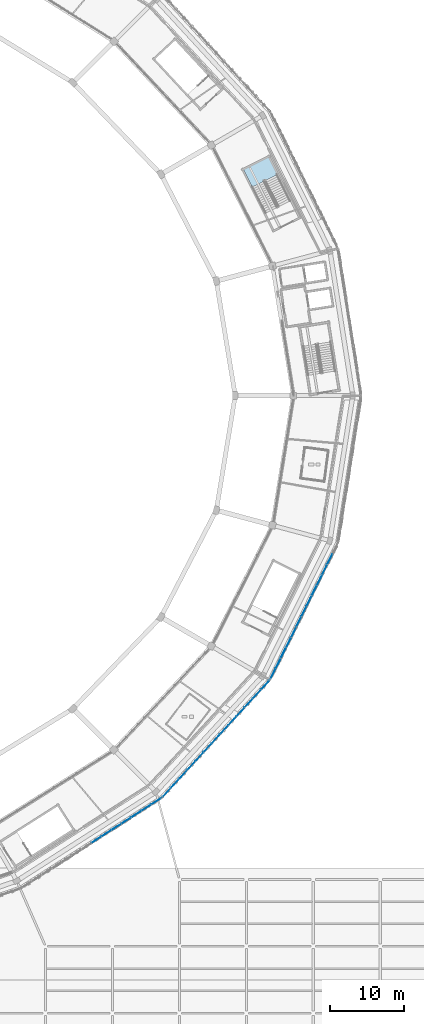
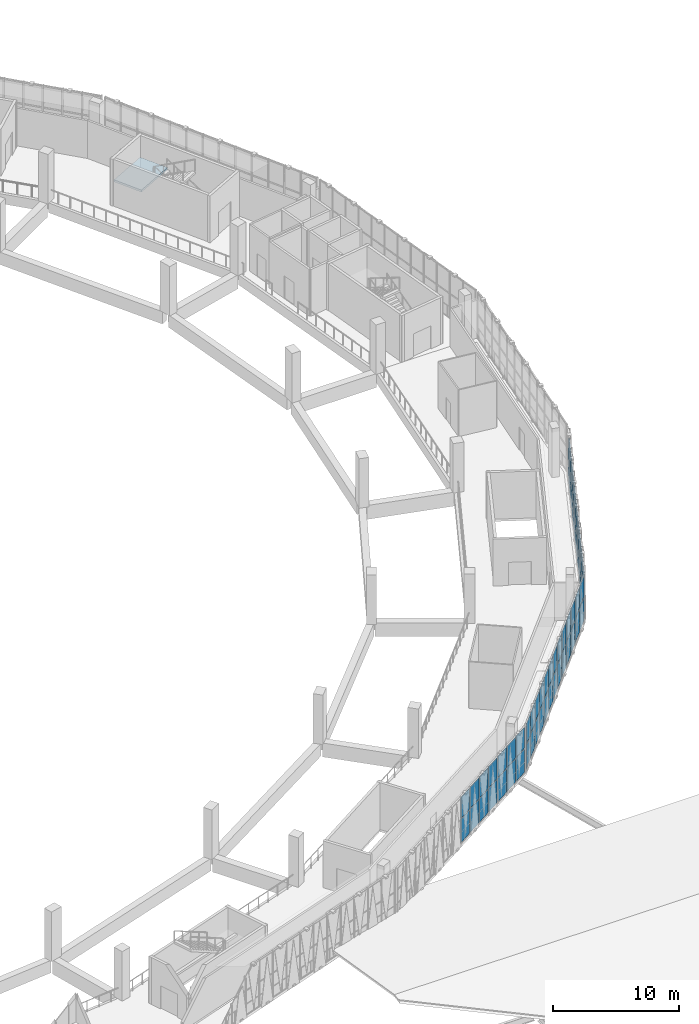
# One storey, part 57 of 108: 64 plates, 1 slab, 4 elements without a shape of their own.
"""IFC4 building model written with IfcOpenShell, lengths in metres."""

from ifc_helpers import new_model, si_unit, direction, frame, origin, origin_2d, place, context, subcontext, project, spatial, polyline, rectangle, outline, extrude, material, layer, layer_set, type_object, element, aggregate, save


model = new_model("IFC4")

# Units and contexts
model_context = context("Model", 3, precision=1e-05, world=origin(), true_north=direction((0.0, 1.0)))
body_context = subcontext(model_context, "Body", "Model", "MODEL_VIEW")
ifc_project = project(units=[si_unit("LENGTHUNIT", "METRE"), si_unit("AREAUNIT", "SQUARE_METRE"), si_unit("VOLUMEUNIT", "CUBIC_METRE"), si_unit("PLANEANGLEUNIT", "RADIAN"), si_unit("MASSUNIT", "GRAM", prefix="KILO")], contexts=[model_context])

# Site, building, storey
site_placement = place(None, origin())
site = spatial("IfcSite", under=ifc_project, at=site_placement, CompositionType="ELEMENT")
building_placement = place(site_placement, origin())
building = spatial("IfcBuilding", under=site, at=building_placement, Name="Zevraka Park Crest Stadium", CompositionType="ELEMENT")
storey_placement = place(building_placement, frame((0.0, 0.0, 19.800048828125)))
storey = spatial("IfcBuildingStorey", under=building, at=storey_placement, Name="L04", CompositionType="ELEMENT", Elevation=19.800048828125)

# Curtain wall, plates
ifc_material_1 = material(Name="Anodised architectural aluminium and laminated safety glass", Category="aluminium")
curtain_wall_type_1 = type_object("IfcCurtainWallType", Name="CW17", PredefinedType="NOTDEFINED", material=ifc_material_1)
curtain_wall_1_placement = place(storey_placement, origin())
curtain_wall_1 = element("IfcCurtainWall", 1, at=curtain_wall_1_placement, inside=storey, type_object=curtain_wall_type_1, Name="Unitised Ring Curtain Wall CW17 L04-22", PredefinedType="NOTDEFINED")
ifc_material_2 = material(Name="Solar-control laminated double glazing", Category="glass")
ifc_layer_1 = layer(ifc_material_2, 0.031982421875)
ifc_layer_set_1 = layer_set([ifc_layer_1], Name="Solar-control laminated double glazing")
plate_type_1 = type_object("IfcPlateType", Name="CP17", PredefinedType="CURTAIN_PANEL", material=ifc_layer_set_1)
plate_1_placement = place(storey_placement, frame((191.5849609375, 54.62548828125, 0.06494140625), z_axis=(0.0, 0.0, 1.0), x_axis=(0.443961067545, 0.896046076106, 0.0)))
plate_1 = element("IfcPlate", 2, at=plate_1_placement, type_object=plate_type_1, Name="CW17 panel 1.1", PredefinedType="CURTAIN_PANEL", context=body_context, shape_type="SweptSolid", body=[
    extrude(rectangle(XDim=1.46484375, YDim=0.031982421875, at=origin_2d()), origin(), (0.0, 0.0, 1.0), 2.302490234375),
])
plate_2_placement = place(storey_placement, frame((191.5849609375, 54.62548828125, 2.432373046875), z_axis=(0.0, 0.0, 1.0), x_axis=(0.443961067545, 0.896046076106, 0.0)))
plate_2 = element("IfcPlate", 3, at=plate_2_placement, type_object=plate_type_1, Name="CW17 panel 1.2", PredefinedType="CURTAIN_PANEL", context=body_context, shape_type="SweptSolid", body=[
    extrude(rectangle(XDim=1.46484375, YDim=0.031982421875, at=origin_2d()), origin(), (0.0, 0.0, 1.0), 2.04248046875),
])
plate_3_placement = place(storey_placement, frame((192.271484375, 56.010986328125, 0.06494140625), z_axis=(0.0, 0.0, 1.0), x_axis=(0.443961067545, 0.896046076106, 0.0)))
plate_3 = element("IfcPlate", 4, at=plate_3_placement, type_object=plate_type_1, Name="CW17 panel 2.1", PredefinedType="CURTAIN_PANEL", context=body_context, shape_type="SweptSolid", body=[
    extrude(rectangle(XDim=1.497314453125, YDim=0.031982421875, at=origin_2d()), origin(), (0.0, 0.0, 1.0), 2.302490234375),
])
plate_4_placement = place(storey_placement, frame((192.271484375, 56.010986328125, 2.432373046875), z_axis=(0.0, 0.0, 1.0), x_axis=(0.443961067545, 0.896046076106, 0.0)))
plate_4 = element("IfcPlate", 5, at=plate_4_placement, type_object=plate_type_1, Name="CW17 panel 2.2", PredefinedType="CURTAIN_PANEL", context=body_context, shape_type="SweptSolid", body=[
    extrude(rectangle(XDim=1.497314453125, YDim=0.031982421875, at=origin_2d()), origin(), (0.0, 0.0, 1.0), 2.04248046875),
])
plate_5_placement = place(storey_placement, frame((192.965087890625, 57.410888671875, 0.06494140625), z_axis=(0.0, 0.0, 1.0), x_axis=(0.443961067545, 0.896046076106, 0.0)))
plate_5 = element("IfcPlate", 6, at=plate_5_placement, type_object=plate_type_1, Name="CW17 panel 3.1", PredefinedType="CURTAIN_PANEL", context=body_context, shape_type="SweptSolid", body=[
    extrude(rectangle(XDim=1.497314453125, YDim=0.031982421875, at=origin_2d()), origin(), (0.0, 0.0, 1.0), 2.302490234375),
])
plate_6_placement = place(storey_placement, frame((192.965087890625, 57.410888671875, 2.432373046875), z_axis=(0.0, 0.0, 1.0), x_axis=(0.443961067545, 0.896046076106, 0.0)))
plate_6 = element("IfcPlate", 7, at=plate_6_placement, type_object=plate_type_1, Name="CW17 panel 3.2", PredefinedType="CURTAIN_PANEL", context=body_context, shape_type="SweptSolid", body=[
    extrude(rectangle(XDim=1.497314453125, YDim=0.031982421875, at=origin_2d()), origin(), (0.0, 0.0, 1.0), 2.04248046875),
])
plate_7_placement = place(storey_placement, frame((193.65869140625, 58.810791015625, 0.06494140625), z_axis=(0.0, 0.0, 1.0), x_axis=(0.443961067545, 0.896046076106, 0.0)))
plate_7 = element("IfcPlate", 8, at=plate_7_placement, type_object=plate_type_1, Name="CW17 panel 4.1", PredefinedType="CURTAIN_PANEL", context=body_context, shape_type="SweptSolid", body=[
    extrude(rectangle(XDim=1.497314453125, YDim=0.031982421875, at=origin_2d()), origin(), (0.0, 0.0, 1.0), 2.302490234375),
])
plate_8_placement = place(storey_placement, frame((193.65869140625, 58.810791015625, 2.432373046875), z_axis=(0.0, 0.0, 1.0), x_axis=(0.443961067545, 0.896046076106, 0.0)))
plate_8 = element("IfcPlate", 9, at=plate_8_placement, type_object=plate_type_1, Name="CW17 panel 4.2", PredefinedType="CURTAIN_PANEL", context=body_context, shape_type="SweptSolid", body=[
    extrude(rectangle(XDim=1.497314453125, YDim=0.031982421875, at=origin_2d()), origin(), (0.0, 0.0, 1.0), 2.04248046875),
])
plate_9_placement = place(storey_placement, frame((194.352294921875, 60.210693359375, 0.06494140625), z_axis=(0.0, 0.0, 1.0), x_axis=(0.443961067545, 0.896046076106, 0.0)))
plate_9 = element("IfcPlate", 10, at=plate_9_placement, type_object=plate_type_1, Name="CW17 panel 5.1", PredefinedType="CURTAIN_PANEL", context=body_context, shape_type="SweptSolid", body=[
    extrude(rectangle(XDim=1.497314453125, YDim=0.031982421875, at=origin_2d()), origin(), (0.0, 0.0, 1.0), 2.302490234375),
])
plate_10_placement = place(storey_placement, frame((194.352294921875, 60.210693359375, 2.432373046875), z_axis=(0.0, 0.0, 1.0), x_axis=(0.443961067545, 0.896046076106, 0.0)))
plate_10 = element("IfcPlate", 11, at=plate_10_placement, type_object=plate_type_1, Name="CW17 panel 5.2", PredefinedType="CURTAIN_PANEL", context=body_context, shape_type="SweptSolid", body=[
    extrude(rectangle(XDim=1.497314453125, YDim=0.031982421875, at=origin_2d()), origin(), (0.0, 0.0, 1.0), 2.04248046875),
])
plate_11_placement = place(storey_placement, frame((195.0458984375, 61.610595703125, 0.06494140625), z_axis=(0.0, 0.0, 1.0), x_axis=(0.443961067545, 0.896046076106, 0.0)))
plate_11 = element("IfcPlate", 12, at=plate_11_placement, type_object=plate_type_1, Name="CW17 panel 6.1", PredefinedType="CURTAIN_PANEL", context=body_context, shape_type="SweptSolid", body=[
    extrude(rectangle(XDim=1.497314453125, YDim=0.031982421875, at=origin_2d()), origin(), (0.0, 0.0, 1.0), 2.302490234375),
])
plate_12_placement = place(storey_placement, frame((195.0458984375, 61.610595703125, 2.432373046875), z_axis=(0.0, 0.0, 1.0), x_axis=(0.443961067545, 0.896046076106, 0.0)))
plate_12 = element("IfcPlate", 13, at=plate_12_placement, type_object=plate_type_1, Name="CW17 panel 6.2", PredefinedType="CURTAIN_PANEL", context=body_context, shape_type="SweptSolid", body=[
    extrude(rectangle(XDim=1.497314453125, YDim=0.031982421875, at=origin_2d()), origin(), (0.0, 0.0, 1.0), 2.04248046875),
])
plate_13_placement = place(storey_placement, frame((195.739501953125, 63.010498046875, 0.06494140625), z_axis=(0.0, 0.0, 1.0), x_axis=(0.443961067545, 0.896046076106, 0.0)))
plate_13 = element("IfcPlate", 14, at=plate_13_placement, type_object=plate_type_1, Name="CW17 panel 7.1", PredefinedType="CURTAIN_PANEL", context=body_context, shape_type="SweptSolid", body=[
    extrude(rectangle(XDim=1.497314453125, YDim=0.031982421875, at=origin_2d()), origin(), (0.0, 0.0, 1.0), 2.302490234375),
])
plate_14_placement = place(storey_placement, frame((195.739501953125, 63.010498046875, 2.432373046875), z_axis=(0.0, 0.0, 1.0), x_axis=(0.443961067545, 0.896046076106, 0.0)))
plate_14 = element("IfcPlate", 15, at=plate_14_placement, type_object=plate_type_1, Name="CW17 panel 7.2", PredefinedType="CURTAIN_PANEL", context=body_context, shape_type="SweptSolid", body=[
    extrude(rectangle(XDim=1.497314453125, YDim=0.031982421875, at=origin_2d()), origin(), (0.0, 0.0, 1.0), 2.04248046875),
])
plate_15_placement = place(storey_placement, frame((196.43310546875, 64.410400390625, 0.06494140625), z_axis=(0.0, 0.0, 1.0), x_axis=(0.443961067545, 0.896046076106, 0.0)))
plate_15 = element("IfcPlate", 16, at=plate_15_placement, type_object=plate_type_1, Name="CW17 panel 8.1", PredefinedType="CURTAIN_PANEL", context=body_context, shape_type="SweptSolid", body=[
    extrude(rectangle(XDim=1.497314453125, YDim=0.031982421875, at=origin_2d()), origin(), (0.0, 0.0, 1.0), 2.302490234375),
])
plate_16_placement = place(storey_placement, frame((196.43310546875, 64.410400390625, 2.432373046875), z_axis=(0.0, 0.0, 1.0), x_axis=(0.443961067545, 0.896046076106, 0.0)))
plate_16 = element("IfcPlate", 17, at=plate_16_placement, type_object=plate_type_1, Name="CW17 panel 8.2", PredefinedType="CURTAIN_PANEL", context=body_context, shape_type="SweptSolid", body=[
    extrude(rectangle(XDim=1.497314453125, YDim=0.031982421875, at=origin_2d()), origin(), (0.0, 0.0, 1.0), 2.04248046875),
])
plate_17_placement = place(storey_placement, frame((197.126708984375, 65.810302734375, 0.06494140625), z_axis=(0.0, 0.0, 1.0), x_axis=(0.443961067545, 0.896046076106, 0.0)))
plate_17 = element("IfcPlate", 18, at=plate_17_placement, type_object=plate_type_1, Name="CW17 panel 9.1", PredefinedType="CURTAIN_PANEL", context=body_context, shape_type="SweptSolid", body=[
    extrude(rectangle(XDim=1.497314453125, YDim=0.031982421875, at=origin_2d()), origin(), (0.0, 0.0, 1.0), 2.302490234375),
])
plate_18_placement = place(storey_placement, frame((197.126708984375, 65.810302734375, 2.432373046875), z_axis=(0.0, 0.0, 1.0), x_axis=(0.443961067545, 0.896046076106, 0.0)))
plate_18 = element("IfcPlate", 19, at=plate_18_placement, type_object=plate_type_1, Name="CW17 panel 9.2", PredefinedType="CURTAIN_PANEL", context=body_context, shape_type="SweptSolid", body=[
    extrude(rectangle(XDim=1.497314453125, YDim=0.031982421875, at=origin_2d()), origin(), (0.0, 0.0, 1.0), 2.04248046875),
])
plate_19_placement = place(storey_placement, frame((197.8203125, 67.210205078125, 0.06494140625), z_axis=(0.0, 0.0, 1.0), x_axis=(0.443961067545, 0.896046076106, 0.0)))
plate_19 = element("IfcPlate", 20, at=plate_19_placement, type_object=plate_type_1, Name="CW17 panel 10.1", PredefinedType="CURTAIN_PANEL", context=body_context, shape_type="SweptSolid", body=[
    extrude(rectangle(XDim=1.497314453125, YDim=0.031982421875, at=origin_2d()), origin(), (0.0, 0.0, 1.0), 2.302490234375),
])
plate_20_placement = place(storey_placement, frame((197.8203125, 67.210205078125, 2.432373046875), z_axis=(0.0, 0.0, 1.0), x_axis=(0.443961067545, 0.896046076106, 0.0)))
plate_20 = element("IfcPlate", 21, at=plate_20_placement, type_object=plate_type_1, Name="CW17 panel 10.2", PredefinedType="CURTAIN_PANEL", context=body_context, shape_type="SweptSolid", body=[
    extrude(rectangle(XDim=1.497314453125, YDim=0.031982421875, at=origin_2d()), origin(), (0.0, 0.0, 1.0), 2.04248046875),
])
plate_21_placement = place(storey_placement, frame((198.513916015625, 68.610107421875, 0.06494140625), z_axis=(0.0, 0.0, 1.0), x_axis=(0.443961067545, 0.896046076106, 0.0)))
plate_21 = element("IfcPlate", 22, at=plate_21_placement, type_object=plate_type_1, Name="CW17 panel 11.1", PredefinedType="CURTAIN_PANEL", context=body_context, shape_type="SweptSolid", body=[
    extrude(rectangle(XDim=1.497314453125, YDim=0.031982421875, at=origin_2d()), origin(), (0.0, 0.0, 1.0), 2.302490234375),
])
plate_22_placement = place(storey_placement, frame((198.513916015625, 68.610107421875, 2.432373046875), z_axis=(0.0, 0.0, 1.0), x_axis=(0.443961067545, 0.896046076106, 0.0)))
plate_22 = element("IfcPlate", 23, at=plate_22_placement, type_object=plate_type_1, Name="CW17 panel 11.2", PredefinedType="CURTAIN_PANEL", context=body_context, shape_type="SweptSolid", body=[
    extrude(rectangle(XDim=1.497314453125, YDim=0.031982421875, at=origin_2d()), origin(), (0.0, 0.0, 1.0), 2.04248046875),
])
plate_23_placement = place(storey_placement, frame((199.20751953125, 70.010009765625, 0.06494140625), z_axis=(0.0, 0.0, 1.0), x_axis=(0.443961067545, 0.896046076106, 0.0)))
plate_23 = element("IfcPlate", 24, at=plate_23_placement, type_object=plate_type_1, Name="CW17 panel 12.1", PredefinedType="CURTAIN_PANEL", context=body_context, shape_type="SweptSolid", body=[
    extrude(rectangle(XDim=1.497314453125, YDim=0.031982421875, at=origin_2d()), origin(), (0.0, 0.0, 1.0), 2.302490234375),
])
plate_24_placement = place(storey_placement, frame((199.20751953125, 70.010009765625, 2.432373046875), z_axis=(0.0, 0.0, 1.0), x_axis=(0.443961067545, 0.896046076106, 0.0)))
plate_24 = element("IfcPlate", 25, at=plate_24_placement, type_object=plate_type_1, Name="CW17 panel 12.2", PredefinedType="CURTAIN_PANEL", context=body_context, shape_type="SweptSolid", body=[
    extrude(rectangle(XDim=1.497314453125, YDim=0.031982421875, at=origin_2d()), origin(), (0.0, 0.0, 1.0), 2.04248046875),
])
aggregate(curtain_wall_1, [plate_1, plate_2, plate_3, plate_4, plate_5, plate_6, plate_7, plate_8, plate_9, plate_10, plate_11, plate_12, plate_13, plate_14, plate_15, plate_16, plate_17, plate_18, plate_19, plate_20, plate_21, plate_22, plate_23, plate_24])

ifc_material_3 = material(Name="Anodised architectural aluminium and laminated safety glass", Category="aluminium")
curtain_wall_type_2 = type_object("IfcCurtainWallType", Name="CW18", PredefinedType="NOTDEFINED", material=ifc_material_3)
curtain_wall_2_placement = place(storey_placement, origin())
curtain_wall_2 = element("IfcCurtainWall", 26, at=curtain_wall_2_placement, inside=storey, type_object=curtain_wall_type_2, Name="Unitised Ring Curtain Wall CW18 L04-20", PredefinedType="NOTDEFINED")
ifc_material_4 = material(Name="Solar-control laminated double glazing", Category="glass")
ifc_layer_2 = layer(ifc_material_4, 0.031982421875)
ifc_layer_set_2 = layer_set([ifc_layer_2], Name="Solar-control laminated double glazing")
plate_type_2 = type_object("IfcPlateType", Name="CP18", PredefinedType="CURTAIN_PANEL", material=ifc_layer_set_2)
plate_25_placement = place(storey_placement, frame((167.850341796875, 32.32373046875, 0.070068359375), z_axis=(0.0, 0.0, 1.0), x_axis=(0.841677883781, 0.539979944029, 0.0)))
plate_25 = element("IfcPlate", 27, at=plate_25_placement, type_object=plate_type_2, Name="CW18 panel 8.1", PredefinedType="CURTAIN_PANEL", context=body_context, shape_type="SweptSolid", body=[
    extrude(rectangle(XDim=1.51806640625, YDim=0.031982421875, at=origin_2d()), origin(), (0.0, 0.0, 1.0), 2.294921875),
])
plate_26_placement = place(storey_placement, frame((167.850341796875, 32.32373046875, 2.43505859375), z_axis=(0.0, 0.0, 1.0), x_axis=(0.841677883781, 0.539979944029, 0.0)))
plate_26 = element("IfcPlate", 28, at=plate_26_placement, type_object=plate_type_2, Name="CW18 panel 8.2", PredefinedType="CURTAIN_PANEL", context=body_context, shape_type="SweptSolid", body=[
    extrude(rectangle(XDim=1.51806640625, YDim=0.031982421875, at=origin_2d()), origin(), (0.0, 0.0, 1.0), 2.034912109375),
])
plate_27_placement = place(storey_placement, frame((169.18701171875, 33.181396484375, 0.070068359375), z_axis=(0.0, 0.0, 1.0), x_axis=(0.841677883781, 0.539979944029, 0.0)))
plate_27 = element("IfcPlate", 29, at=plate_27_placement, type_object=plate_type_2, Name="CW18 panel 9.1", PredefinedType="CURTAIN_PANEL", context=body_context, shape_type="SweptSolid", body=[
    extrude(rectangle(XDim=1.51806640625, YDim=0.031982421875, at=origin_2d()), origin(), (0.0, 0.0, 1.0), 2.294921875),
])
plate_28_placement = place(storey_placement, frame((169.18701171875, 33.181396484375, 2.43505859375), z_axis=(0.0, 0.0, 1.0), x_axis=(0.841677883781, 0.539979944029, 0.0)))
plate_28 = element("IfcPlate", 30, at=plate_28_placement, type_object=plate_type_2, Name="CW18 panel 9.2", PredefinedType="CURTAIN_PANEL", context=body_context, shape_type="SweptSolid", body=[
    extrude(rectangle(XDim=1.51806640625, YDim=0.031982421875, at=origin_2d()), origin(), (0.0, 0.0, 1.0), 2.034912109375),
])
plate_29_placement = place(storey_placement, frame((170.523681640625, 34.038818359375, 0.070068359375), z_axis=(0.0, 0.0, 1.0), x_axis=(0.841677883781, 0.539979944029, 0.0)))
plate_29 = element("IfcPlate", 31, at=plate_29_placement, type_object=plate_type_2, Name="CW18 panel 10.1", PredefinedType="CURTAIN_PANEL", context=body_context, shape_type="SweptSolid", body=[
    extrude(rectangle(XDim=1.51806640625, YDim=0.031982421875, at=origin_2d()), origin(), (0.0, 0.0, 1.0), 2.294921875),
])
plate_30_placement = place(storey_placement, frame((170.523681640625, 34.038818359375, 2.43505859375), z_axis=(0.0, 0.0, 1.0), x_axis=(0.841677883781, 0.539979944029, 0.0)))
plate_30 = element("IfcPlate", 32, at=plate_30_placement, type_object=plate_type_2, Name="CW18 panel 10.2", PredefinedType="CURTAIN_PANEL", context=body_context, shape_type="SweptSolid", body=[
    extrude(rectangle(XDim=1.51806640625, YDim=0.031982421875, at=origin_2d()), origin(), (0.0, 0.0, 1.0), 2.034912109375),
])
plate_31_placement = place(storey_placement, frame((171.860595703125, 34.896484375, 0.070068359375), z_axis=(0.0, 0.0, 1.0), x_axis=(0.841677883781, 0.539979944029, 0.0)))
plate_31 = element("IfcPlate", 33, at=plate_31_placement, type_object=plate_type_2, Name="CW18 panel 11.1", PredefinedType="CURTAIN_PANEL", context=body_context, shape_type="SweptSolid", body=[
    extrude(rectangle(XDim=1.51806640625, YDim=0.031982421875, at=origin_2d()), origin(), (0.0, 0.0, 1.0), 2.294921875),
])
plate_32_placement = place(storey_placement, frame((171.860595703125, 34.896484375, 2.43505859375), z_axis=(0.0, 0.0, 1.0), x_axis=(0.841677883781, 0.539979944029, 0.0)))
plate_32 = element("IfcPlate", 34, at=plate_32_placement, type_object=plate_type_2, Name="CW18 panel 11.2", PredefinedType="CURTAIN_PANEL", context=body_context, shape_type="SweptSolid", body=[
    extrude(rectangle(XDim=1.51806640625, YDim=0.031982421875, at=origin_2d()), origin(), (0.0, 0.0, 1.0), 2.034912109375),
])
plate_33_placement = place(storey_placement, frame((173.197265625, 35.754150390625, 0.070068359375), z_axis=(0.0, 0.0, 1.0), x_axis=(0.841677883781, 0.539979944029, 0.0)))
plate_33 = element("IfcPlate", 35, at=plate_33_placement, type_object=plate_type_2, Name="CW18 panel 12.1", PredefinedType="CURTAIN_PANEL", context=body_context, shape_type="SweptSolid", body=[
    extrude(rectangle(XDim=1.51806640625, YDim=0.031982421875, at=origin_2d()), origin(), (0.0, 0.0, 1.0), 2.294921875),
])
plate_34_placement = place(storey_placement, frame((173.197265625, 35.754150390625, 2.43505859375), z_axis=(0.0, 0.0, 1.0), x_axis=(0.841677883781, 0.539979944029, 0.0)))
plate_34 = element("IfcPlate", 36, at=plate_34_placement, type_object=plate_type_2, Name="CW18 panel 12.2", PredefinedType="CURTAIN_PANEL", context=body_context, shape_type="SweptSolid", body=[
    extrude(rectangle(XDim=1.51806640625, YDim=0.031982421875, at=origin_2d()), origin(), (0.0, 0.0, 1.0), 2.034912109375),
])
plate_35_placement = place(storey_placement, frame((174.533935546875, 36.611572265625, 0.070068359375), z_axis=(0.0, 0.0, 1.0), x_axis=(0.841677883781, 0.539979944029, 0.0)))
plate_35 = element("IfcPlate", 37, at=plate_35_placement, type_object=plate_type_2, Name="CW18 panel 13.1", PredefinedType="CURTAIN_PANEL", context=body_context, shape_type="SweptSolid", body=[
    extrude(rectangle(XDim=1.51806640625, YDim=0.031982421875, at=origin_2d()), origin(), (0.0, 0.0, 1.0), 2.294921875),
])
plate_36_placement = place(storey_placement, frame((174.533935546875, 36.611572265625, 2.43505859375), z_axis=(0.0, 0.0, 1.0), x_axis=(0.841677883781, 0.539979944029, 0.0)))
plate_36 = element("IfcPlate", 38, at=plate_36_placement, type_object=plate_type_2, Name="CW18 panel 13.2", PredefinedType="CURTAIN_PANEL", context=body_context, shape_type="SweptSolid", body=[
    extrude(rectangle(XDim=1.51806640625, YDim=0.031982421875, at=origin_2d()), origin(), (0.0, 0.0, 1.0), 2.034912109375),
])
plate_37_placement = place(storey_placement, frame((175.85595703125, 37.459716796875, 0.070068359375), z_axis=(0.0, 0.0, 1.0), x_axis=(0.841677883781, 0.539979944029, 0.0)))
plate_37 = element("IfcPlate", 39, at=plate_37_placement, type_object=plate_type_2, Name="CW18 panel 14.1", PredefinedType="CURTAIN_PANEL", context=body_context, shape_type="SweptSolid", body=[
    extrude(rectangle(XDim=1.483154296875, YDim=0.031982421875, at=origin_2d()), origin(), (0.0, 0.0, 1.0), 2.294921875),
])
plate_38_placement = place(storey_placement, frame((175.85595703125, 37.459716796875, 2.43505859375), z_axis=(0.0, 0.0, 1.0), x_axis=(0.841677883781, 0.539979944029, 0.0)))
plate_38 = element("IfcPlate", 40, at=plate_38_placement, type_object=plate_type_2, Name="CW18 panel 14.2", PredefinedType="CURTAIN_PANEL", context=body_context, shape_type="SweptSolid", body=[
    extrude(rectangle(XDim=1.483154296875, YDim=0.031982421875, at=origin_2d()), origin(), (0.0, 0.0, 1.0), 2.034912109375),
])
aggregate(curtain_wall_2, [plate_25, plate_26, plate_27, plate_28, plate_29, plate_30, plate_31, plate_32, plate_33, plate_34, plate_35, plate_36, plate_37, plate_38])

curtain_wall_3_placement = place(storey_placement, origin())
curtain_wall_3 = element("IfcCurtainWall", 41, at=curtain_wall_3_placement, inside=storey, type_object=curtain_wall_type_2, Name="Unitised Ring Curtain Wall CW18 L04-21", PredefinedType="NOTDEFINED")
plate_39_placement = place(storey_placement, frame((177.2998046875, 38.67724609375, 0.070068359375), z_axis=(0.0, 0.0, 1.0), x_axis=(0.676138417355, 0.736774619932, 0.0)))
plate_39 = element("IfcPlate", 42, at=plate_39_placement, type_object=plate_type_2, Name="CW18 panel 1.1", PredefinedType="CURTAIN_PANEL", context=body_context, shape_type="SweptSolid", body=[
    extrude(rectangle(XDim=1.527587890625, YDim=0.031982421875, at=origin_2d()), origin(), (0.0, 0.0, 1.0), 2.294921875),
])
plate_40_placement = place(storey_placement, frame((177.2998046875, 38.67724609375, 2.43505859375), z_axis=(0.0, 0.0, 1.0), x_axis=(0.676138417355, 0.736774619932, 0.0)))
plate_40 = element("IfcPlate", 43, at=plate_40_placement, type_object=plate_type_2, Name="CW18 panel 1.2", PredefinedType="CURTAIN_PANEL", context=body_context, shape_type="SweptSolid", body=[
    extrude(rectangle(XDim=1.527587890625, YDim=0.031982421875, at=origin_2d()), origin(), (0.0, 0.0, 1.0), 2.034912109375),
])
plate_41_placement = place(storey_placement, frame((178.391845703125, 39.867431640625, 0.070068359375), z_axis=(0.0, 0.0, 1.0), x_axis=(0.676138417355, 0.736774619932, 0.0)))
plate_41 = element("IfcPlate", 44, at=plate_41_placement, type_object=plate_type_2, Name="CW18 panel 2.1", PredefinedType="CURTAIN_PANEL", context=body_context, shape_type="SweptSolid", body=[
    extrude(rectangle(XDim=1.562744140625, YDim=0.031982421875, at=origin_2d()), origin(), (0.0, 0.0, 1.0), 2.294921875),
])
plate_42_placement = place(storey_placement, frame((178.391845703125, 39.867431640625, 2.43505859375), z_axis=(0.0, 0.0, 1.0), x_axis=(0.676138417355, 0.736774619932, 0.0)))
plate_42 = element("IfcPlate", 45, at=plate_42_placement, type_object=plate_type_2, Name="CW18 panel 2.2", PredefinedType="CURTAIN_PANEL", context=body_context, shape_type="SweptSolid", body=[
    extrude(rectangle(XDim=1.562744140625, YDim=0.031982421875, at=origin_2d()), origin(), (0.0, 0.0, 1.0), 2.034912109375),
])
plate_43_placement = place(storey_placement, frame((179.495849609375, 41.0703125, 0.070068359375), z_axis=(0.0, 0.0, 1.0), x_axis=(0.676138417355, 0.736774619932, 0.0)))
plate_43 = element("IfcPlate", 46, at=plate_43_placement, type_object=plate_type_2, Name="CW18 panel 3.1", PredefinedType="CURTAIN_PANEL", context=body_context, shape_type="SweptSolid", body=[
    extrude(rectangle(XDim=1.562744140625, YDim=0.031982421875, at=origin_2d()), origin(), (0.0, 0.0, 1.0), 2.294921875),
])
plate_44_placement = place(storey_placement, frame((179.495849609375, 41.0703125, 2.43505859375), z_axis=(0.0, 0.0, 1.0), x_axis=(0.676138417355, 0.736774619932, 0.0)))
plate_44 = element("IfcPlate", 47, at=plate_44_placement, type_object=plate_type_2, Name="CW18 panel 3.2", PredefinedType="CURTAIN_PANEL", context=body_context, shape_type="SweptSolid", body=[
    extrude(rectangle(XDim=1.562744140625, YDim=0.031982421875, at=origin_2d()), origin(), (0.0, 0.0, 1.0), 2.034912109375),
])
plate_45_placement = place(storey_placement, frame((180.599609375, 42.273193359375, 0.070068359375), z_axis=(0.0, 0.0, 1.0), x_axis=(0.676138417355, 0.736774619932, 0.0)))
plate_45 = element("IfcPlate", 48, at=plate_45_placement, type_object=plate_type_2, Name="CW18 panel 4.1", PredefinedType="CURTAIN_PANEL", context=body_context, shape_type="SweptSolid", body=[
    extrude(rectangle(XDim=1.562744140625, YDim=0.031982421875, at=origin_2d()), origin(), (0.0, 0.0, 1.0), 2.294921875),
])
plate_46_placement = place(storey_placement, frame((180.599609375, 42.273193359375, 2.43505859375), z_axis=(0.0, 0.0, 1.0), x_axis=(0.676138417355, 0.736774619932, 0.0)))
plate_46 = element("IfcPlate", 49, at=plate_46_placement, type_object=plate_type_2, Name="CW18 panel 4.2", PredefinedType="CURTAIN_PANEL", context=body_context, shape_type="SweptSolid", body=[
    extrude(rectangle(XDim=1.562744140625, YDim=0.031982421875, at=origin_2d()), origin(), (0.0, 0.0, 1.0), 2.034912109375),
])
plate_47_placement = place(storey_placement, frame((181.70361328125, 43.47607421875, 0.070068359375), z_axis=(0.0, 0.0, 1.0), x_axis=(0.676138417355, 0.736774619932, 0.0)))
plate_47 = element("IfcPlate", 50, at=plate_47_placement, type_object=plate_type_2, Name="CW18 panel 5.1", PredefinedType="CURTAIN_PANEL", context=body_context, shape_type="SweptSolid", body=[
    extrude(rectangle(XDim=1.562744140625, YDim=0.031982421875, at=origin_2d()), origin(), (0.0, 0.0, 1.0), 2.294921875),
])
plate_48_placement = place(storey_placement, frame((181.70361328125, 43.47607421875, 2.43505859375), z_axis=(0.0, 0.0, 1.0), x_axis=(0.676138417355, 0.736774619932, 0.0)))
plate_48 = element("IfcPlate", 51, at=plate_48_placement, type_object=plate_type_2, Name="CW18 panel 5.2", PredefinedType="CURTAIN_PANEL", context=body_context, shape_type="SweptSolid", body=[
    extrude(rectangle(XDim=1.562744140625, YDim=0.031982421875, at=origin_2d()), origin(), (0.0, 0.0, 1.0), 2.034912109375),
])
plate_49_placement = place(storey_placement, frame((182.8076171875, 44.678955078125, 0.070068359375), z_axis=(0.0, 0.0, 1.0), x_axis=(0.676138417355, 0.736774619932, 0.0)))
plate_49 = element("IfcPlate", 52, at=plate_49_placement, type_object=plate_type_2, Name="CW18 panel 6.1", PredefinedType="CURTAIN_PANEL", context=body_context, shape_type="SweptSolid", body=[
    extrude(rectangle(XDim=1.562744140625, YDim=0.031982421875, at=origin_2d()), origin(), (0.0, 0.0, 1.0), 2.294921875),
])
plate_50_placement = place(storey_placement, frame((182.8076171875, 44.678955078125, 2.43505859375), z_axis=(0.0, 0.0, 1.0), x_axis=(0.676138417355, 0.736774619932, 0.0)))
plate_50 = element("IfcPlate", 53, at=plate_50_placement, type_object=plate_type_2, Name="CW18 panel 6.2", PredefinedType="CURTAIN_PANEL", context=body_context, shape_type="SweptSolid", body=[
    extrude(rectangle(XDim=1.562744140625, YDim=0.031982421875, at=origin_2d()), origin(), (0.0, 0.0, 1.0), 2.034912109375),
])
plate_51_placement = place(storey_placement, frame((183.91162109375, 45.882080078125, 0.070068359375), z_axis=(0.0, 0.0, 1.0), x_axis=(0.676138417355, 0.736774619932, 0.0)))
plate_51 = element("IfcPlate", 54, at=plate_51_placement, type_object=plate_type_2, Name="CW18 panel 7.1", PredefinedType="CURTAIN_PANEL", context=body_context, shape_type="SweptSolid", body=[
    extrude(rectangle(XDim=1.562744140625, YDim=0.031982421875, at=origin_2d()), origin(), (0.0, 0.0, 1.0), 2.294921875),
])
plate_52_placement = place(storey_placement, frame((183.91162109375, 45.882080078125, 2.43505859375), z_axis=(0.0, 0.0, 1.0), x_axis=(0.676138417355, 0.736774619932, 0.0)))
plate_52 = element("IfcPlate", 55, at=plate_52_placement, type_object=plate_type_2, Name="CW18 panel 7.2", PredefinedType="CURTAIN_PANEL", context=body_context, shape_type="SweptSolid", body=[
    extrude(rectangle(XDim=1.562744140625, YDim=0.031982421875, at=origin_2d()), origin(), (0.0, 0.0, 1.0), 2.034912109375),
])
plate_53_placement = place(storey_placement, frame((185.015380859375, 47.0849609375, 0.070068359375), z_axis=(0.0, 0.0, 1.0), x_axis=(0.676138417355, 0.736774619932, 0.0)))
plate_53 = element("IfcPlate", 56, at=plate_53_placement, type_object=plate_type_2, Name="CW18 panel 8.1", PredefinedType="CURTAIN_PANEL", context=body_context, shape_type="SweptSolid", body=[
    extrude(rectangle(XDim=1.562744140625, YDim=0.031982421875, at=origin_2d()), origin(), (0.0, 0.0, 1.0), 2.294921875),
])
plate_54_placement = place(storey_placement, frame((185.015380859375, 47.0849609375, 2.43505859375), z_axis=(0.0, 0.0, 1.0), x_axis=(0.676138417355, 0.736774619932, 0.0)))
plate_54 = element("IfcPlate", 57, at=plate_54_placement, type_object=plate_type_2, Name="CW18 panel 8.2", PredefinedType="CURTAIN_PANEL", context=body_context, shape_type="SweptSolid", body=[
    extrude(rectangle(XDim=1.562744140625, YDim=0.031982421875, at=origin_2d()), origin(), (0.0, 0.0, 1.0), 2.034912109375),
])
plate_55_placement = place(storey_placement, frame((186.119384765625, 48.287841796875, 0.070068359375), z_axis=(0.0, 0.0, 1.0), x_axis=(0.676138417355, 0.736774619932, 0.0)))
plate_55 = element("IfcPlate", 58, at=plate_55_placement, type_object=plate_type_2, Name="CW18 panel 9.1", PredefinedType="CURTAIN_PANEL", context=body_context, shape_type="SweptSolid", body=[
    extrude(rectangle(XDim=1.562744140625, YDim=0.031982421875, at=origin_2d()), origin(), (0.0, 0.0, 1.0), 2.294921875),
])
plate_56_placement = place(storey_placement, frame((186.119384765625, 48.287841796875, 2.43505859375), z_axis=(0.0, 0.0, 1.0), x_axis=(0.676138417355, 0.736774619932, 0.0)))
plate_56 = element("IfcPlate", 59, at=plate_56_placement, type_object=plate_type_2, Name="CW18 panel 9.2", PredefinedType="CURTAIN_PANEL", context=body_context, shape_type="SweptSolid", body=[
    extrude(rectangle(XDim=1.562744140625, YDim=0.031982421875, at=origin_2d()), origin(), (0.0, 0.0, 1.0), 2.034912109375),
])
plate_57_placement = place(storey_placement, frame((187.223388671875, 49.49072265625, 0.070068359375), z_axis=(0.0, 0.0, 1.0), x_axis=(0.676138417355, 0.736774619932, 0.0)))
plate_57 = element("IfcPlate", 60, at=plate_57_placement, type_object=plate_type_2, Name="CW18 panel 10.1", PredefinedType="CURTAIN_PANEL", context=body_context, shape_type="SweptSolid", body=[
    extrude(rectangle(XDim=1.562744140625, YDim=0.031982421875, at=origin_2d()), origin(), (0.0, 0.0, 1.0), 2.294921875),
])
plate_58_placement = place(storey_placement, frame((187.223388671875, 49.49072265625, 2.43505859375), z_axis=(0.0, 0.0, 1.0), x_axis=(0.676138417355, 0.736774619932, 0.0)))
plate_58 = element("IfcPlate", 61, at=plate_58_placement, type_object=plate_type_2, Name="CW18 panel 10.2", PredefinedType="CURTAIN_PANEL", context=body_context, shape_type="SweptSolid", body=[
    extrude(rectangle(XDim=1.562744140625, YDim=0.031982421875, at=origin_2d()), origin(), (0.0, 0.0, 1.0), 2.034912109375),
])
plate_59_placement = place(storey_placement, frame((188.3271484375, 50.693603515625, 0.070068359375), z_axis=(0.0, 0.0, 1.0), x_axis=(0.676138417355, 0.736774619932, 0.0)))
plate_59 = element("IfcPlate", 62, at=plate_59_placement, type_object=plate_type_2, Name="CW18 panel 11.1", PredefinedType="CURTAIN_PANEL", context=body_context, shape_type="SweptSolid", body=[
    extrude(rectangle(XDim=1.562744140625, YDim=0.031982421875, at=origin_2d()), origin(), (0.0, 0.0, 1.0), 2.294921875),
])
plate_60_placement = place(storey_placement, frame((188.3271484375, 50.693603515625, 2.43505859375), z_axis=(0.0, 0.0, 1.0), x_axis=(0.676138417355, 0.736774619932, 0.0)))
plate_60 = element("IfcPlate", 63, at=plate_60_placement, type_object=plate_type_2, Name="CW18 panel 11.2", PredefinedType="CURTAIN_PANEL", context=body_context, shape_type="SweptSolid", body=[
    extrude(rectangle(XDim=1.562744140625, YDim=0.031982421875, at=origin_2d()), origin(), (0.0, 0.0, 1.0), 2.034912109375),
])
plate_61_placement = place(storey_placement, frame((189.43115234375, 51.896728515625, 0.070068359375), z_axis=(0.0, 0.0, 1.0), x_axis=(0.676138417355, 0.736774619932, 0.0)))
plate_61 = element("IfcPlate", 64, at=plate_61_placement, type_object=plate_type_2, Name="CW18 panel 12.1", PredefinedType="CURTAIN_PANEL", context=body_context, shape_type="SweptSolid", body=[
    extrude(rectangle(XDim=1.562744140625, YDim=0.031982421875, at=origin_2d()), origin(), (0.0, 0.0, 1.0), 2.294921875),
])
plate_62_placement = place(storey_placement, frame((189.43115234375, 51.896728515625, 2.43505859375), z_axis=(0.0, 0.0, 1.0), x_axis=(0.676138417355, 0.736774619932, 0.0)))
plate_62 = element("IfcPlate", 65, at=plate_62_placement, type_object=plate_type_2, Name="CW18 panel 12.2", PredefinedType="CURTAIN_PANEL", context=body_context, shape_type="SweptSolid", body=[
    extrude(rectangle(XDim=1.562744140625, YDim=0.031982421875, at=origin_2d()), origin(), (0.0, 0.0, 1.0), 2.034912109375),
])
plate_63_placement = place(storey_placement, frame((190.523193359375, 53.086669921875, 0.070068359375), z_axis=(0.0, 0.0, 1.0), x_axis=(0.676138417355, 0.736774619932, 0.0)))
plate_63 = element("IfcPlate", 66, at=plate_63_placement, type_object=plate_type_2, Name="CW18 panel 13.1", PredefinedType="CURTAIN_PANEL", context=body_context, shape_type="SweptSolid", body=[
    extrude(rectangle(XDim=1.527587890625, YDim=0.031982421875, at=origin_2d()), origin(), (0.0, 0.0, 1.0), 2.294921875),
])
plate_64_placement = place(storey_placement, frame((190.523193359375, 53.086669921875, 2.43505859375), z_axis=(0.0, 0.0, 1.0), x_axis=(0.676138417355, 0.736774619932, 0.0)))
plate_64 = element("IfcPlate", 67, at=plate_64_placement, type_object=plate_type_2, Name="CW18 panel 13.2", PredefinedType="CURTAIN_PANEL", context=body_context, shape_type="SweptSolid", body=[
    extrude(rectangle(XDim=1.527587890625, YDim=0.031982421875, at=origin_2d()), origin(), (0.0, 0.0, 1.0), 2.034912109375),
])
aggregate(curtain_wall_3, [plate_39, plate_40, plate_41, plate_42, plate_43, plate_44, plate_45, plate_46, plate_47, plate_48, plate_49, plate_50, plate_51, plate_52, plate_53, plate_54, plate_55, plate_56, plate_57, plate_58, plate_59, plate_60, plate_61, plate_62, plate_63, plate_64])

# Stair, slab
ifc_material_5 = material(Name="Concrete C35/45", Category="concrete")
stair_type = type_object("IfcStairType", Name="STA2", PredefinedType="HALF_TURN_STAIR", material=ifc_material_5)
stair_placement = place(storey_placement, origin())
stair = element("IfcStair", 68, at=stair_placement, inside=storey, type_object=stair_type, Name="L04 Protected Concourse Exit Stair ST02", PredefinedType="HALF_TURN_STAIR")
ifc_material_6 = material(Name="Concrete C35/45", Category="concrete")
ifc_layer_3 = layer(ifc_material_6, 0.199951171875)
ifc_layer_set_3 = layer_set([ifc_layer_3], Name="Concrete C35/45")
slab_type = type_object("IfcSlabType", Name="LS01", PredefinedType="LANDING", material=ifc_layer_set_3)
slab_placement = place(storey_placement, frame((0.0, 0.0, 2.199951171875)))
slab = element("IfcSlab", 69, at=slab_placement, type_object=slab_type, Name="ST02 landing 1", PredefinedType="LANDING", context=body_context, shape_type="SweptSolid", body=[
    extrude(outline(polyline([(192.146484375, 121.719970703125), (190.977294921875, 124.053466796875), (187.61572265625, 122.369140625), (188.78466796875, 120.03564453125), (192.146484375, 121.719970703125)])), origin(), (0.0, 0.0, 1.0), 0.199951171875),
])
aggregate(stair, [slab])

save(model, "model.ifc")
